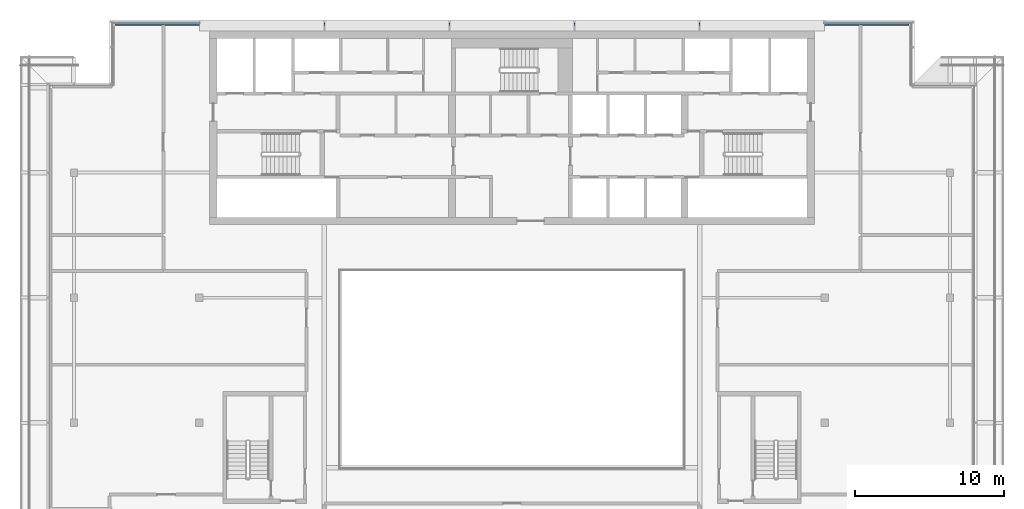
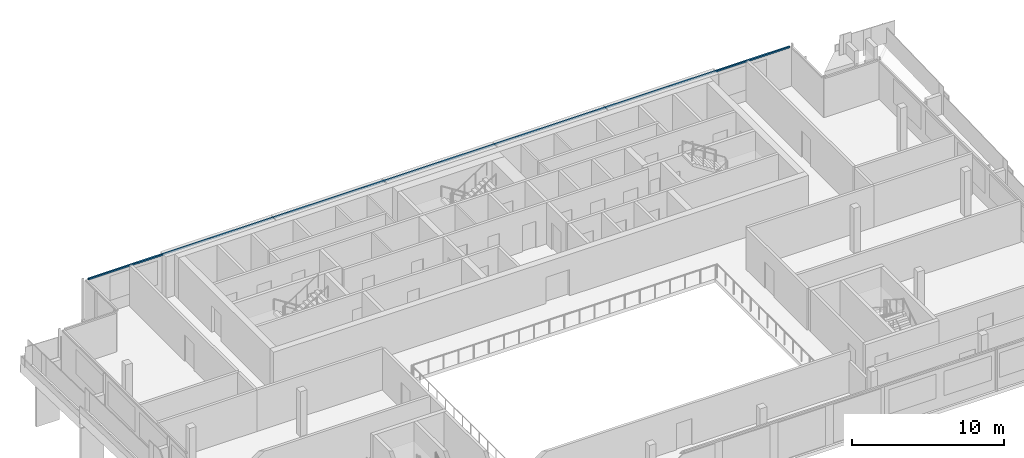
# One storey, part 7 of 20: 1 member, 1 element without a shape of its own.
"""IFC4 building model written with IfcOpenShell, lengths in metres."""

from ifc_helpers import new_model, si_unit, direction, frame, origin, origin_2d, place, context, subcontext, project, spatial, rectangle, extrude, material, material_profile, profile_set, type_object, element, aggregate, save


model = new_model("IFC4")

# Units and contexts
model_context = context("Model", 3, precision=1e-05, world=origin(), true_north=direction((0.0, 1.0)))
body_context = subcontext(model_context, "Body", "Model", "MODEL_VIEW")
ifc_project = project(units=[si_unit("LENGTHUNIT", "METRE"), si_unit("AREAUNIT", "SQUARE_METRE"), si_unit("VOLUMEUNIT", "CUBIC_METRE"), si_unit("PLANEANGLEUNIT", "RADIAN"), si_unit("MASSUNIT", "GRAM", prefix="KILO")], contexts=[model_context])

# Site, building, storey
site_placement = place(None, origin())
site = spatial("IfcSite", under=ifc_project, at=site_placement, CompositionType="ELEMENT")
building_placement = place(site_placement, origin())
building = spatial("IfcBuilding", under=site, at=building_placement, Name="Saffron Gate Tower", CompositionType="ELEMENT")
storey_placement = place(building_placement, frame((0.0, 0.0, 303.14990234375)))
storey = spatial("IfcBuildingStorey", under=building, at=storey_placement, Name="L74", CompositionType="ELEMENT", Elevation=303.14990234375)

# Curtain wall, member
ifc_material = material(Name="Aluminium, bronze anodised", Category="aluminium")
curtain_wall_type = type_object("IfcCurtainWallType", Name="CWS3 curtain wall rear facade", PredefinedType="NOTDEFINED", material=ifc_material)
curtain_wall_placement = place(storey_placement, origin())
curtain_wall = element("IfcCurtainWall", 1, at=curtain_wall_placement, inside=storey, type_object=curtain_wall_type, Name="CWS3 run 7", PredefinedType="NOTDEFINED")
ifc_material_profile = material_profile(ifc_material, rectangle(XDim=0.1201171875, YDim=0.1201171875, at=origin_2d()))
ifc_profile_set = profile_set([ifc_material_profile], Name="Aluminium, bronze anodised")
member_type = type_object("IfcMemberType", Name="CWS3 head transom", PredefinedType="USERDEFINED", material=ifc_profile_set)
member_placement = place(storey_placement, frame((114.23193359375, 75.35205078125, 3.260009765625), z_axis=(-1.0, 0.0, 0.0), x_axis=(0.0, -1.0, 0.0)))
member = element("IfcMember", 2, at=member_placement, type_object=member_type, Name="CWS3 head transom", ObjectType="TRANSOM", PredefinedType="USERDEFINED", context=body_context, shape_type="SweptSolid", body=[
    extrude(rectangle(XDim=0.1201171875, YDim=0.1201171875, at=origin_2d()), origin(), (0.0, 0.0, 1.0), 53.263916015625),
])
aggregate(curtain_wall, [member])

save(model, "model.ifc")
